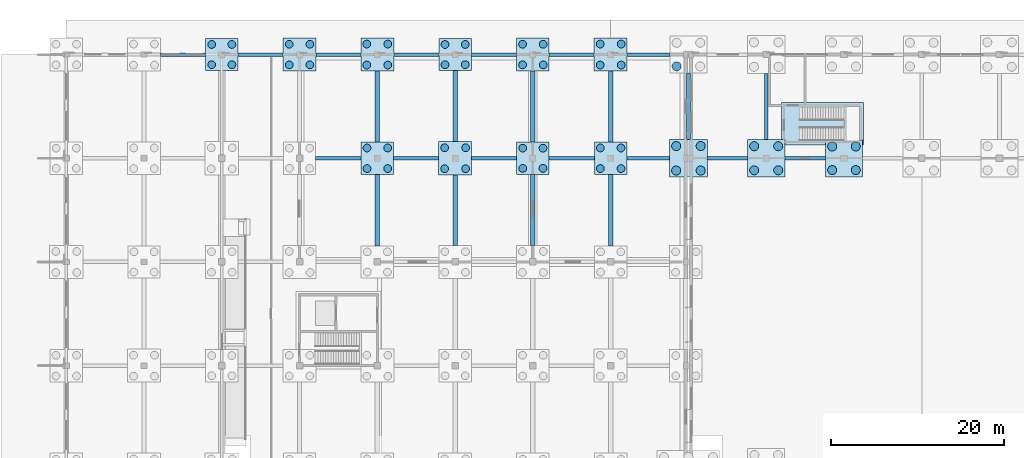
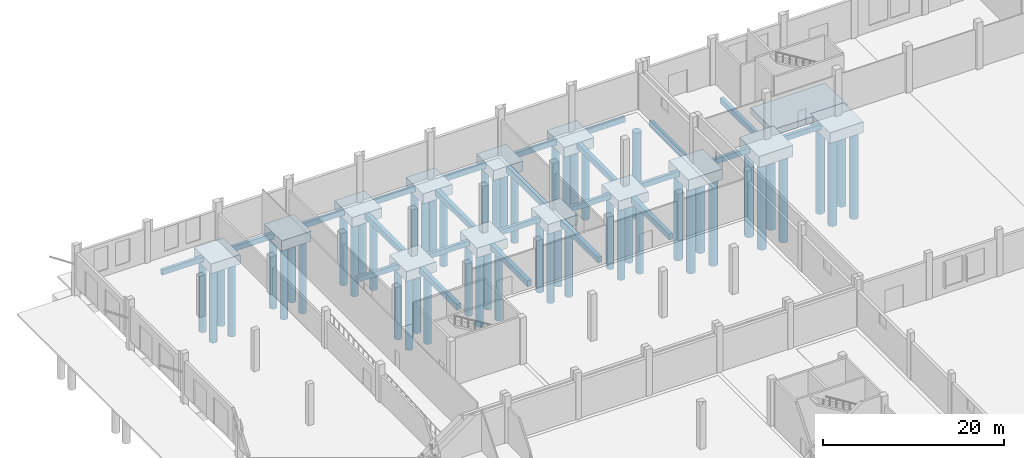
# One storey, part 21 of 99: 53 piles, 38 footings.
"""IFC4 building model written with IfcOpenShell, lengths in metres."""

from ifc_helpers import new_model, si_unit, direction, frame, origin, origin_2d, place, context, subcontext, project, spatial, polyline, rectangle, circle, outline, extrude, material, layer, layer_set, material_profile, profile_set, type_object, element, save


model = new_model("IFC4")

# Units and contexts
model_context = context("Model", 3, precision=1e-05, world=origin(), true_north=direction((0.0, 1.0)))
body_context = subcontext(model_context, "Body", "Model", "MODEL_VIEW")
ifc_project = project(units=[si_unit("LENGTHUNIT", "METRE"), si_unit("AREAUNIT", "SQUARE_METRE"), si_unit("VOLUMEUNIT", "CUBIC_METRE"), si_unit("PLANEANGLEUNIT", "RADIAN"), si_unit("MASSUNIT", "GRAM", prefix="KILO")], contexts=[model_context])

# Site, building, storey
site_placement = place(None, origin())
site = spatial("IfcSite", under=ifc_project, at=site_placement, CompositionType="ELEMENT")
building_placement = place(site_placement, origin())
building = spatial("IfcBuilding", under=site, at=building_placement, Name="Zacnel Wholesale Market", CompositionType="ELEMENT")
storey_placement = place(building_placement, origin())
storey = spatial("IfcBuildingStorey", under=building, at=storey_placement, Name="L01", CompositionType="ELEMENT", Elevation=0.0)

# Footings
ifc_material_1 = material(Name="Concrete C35/45", Category="concrete")
ifc_material_profile_1 = material_profile(ifc_material_1, rectangle(XDim=0.39990234375, YDim=0.699951171875, at=origin_2d()), Name="CT 400x700")
ifc_profile_set_1 = profile_set([ifc_material_profile_1], Name="Concrete C35/45")
footing_type_1 = type_object("IfcFootingType", Name="FTG-CT400X700", PredefinedType="FOOTING_BEAM", material=ifc_profile_set_1)
footing_1_placement = place(storey_placement, frame((28.8701171875, 132.0, -0.85009765625), z_axis=(1.0, 0.0, 0.0), x_axis=(0.0, 1.0, 0.0)))
element("IfcFooting", 1, at=footing_1_placement, inside=storey, type_object=footing_type_1, Name="Ground tie beam CT-X-0475", PredefinedType="FOOTING_BEAM", context=body_context, shape_type="SweptSolid", body=[
    extrude(rectangle(XDim=0.39990234375, YDim=0.699951171875, at=origin_2d()), origin(), (0.0, 0.0, 1.0), 5.239990234375),
])
footing_2_placement = place(storey_placement, frame((37.889892578125, 132.0, -0.85009765625), z_axis=(1.0, 0.0, 0.0), x_axis=(0.0, 1.0, 0.0)))
element("IfcFooting", 2, at=footing_2_placement, inside=storey, type_object=footing_type_1, Name="Ground tie beam CT-X-0476", PredefinedType="FOOTING_BEAM", context=body_context, shape_type="SweptSolid", body=[
    extrude(rectangle(XDim=0.39990234375, YDim=0.699951171875, at=origin_2d()), origin(), (0.0, 0.0, 1.0), 5.195068359375),
])
footing_3_placement = place(storey_placement, frame((46.9150390625, 132.0, -0.85009765625), z_axis=(1.0, 0.0, 0.0), x_axis=(0.0, 1.0, 0.0)))
element("IfcFooting", 3, at=footing_3_placement, inside=storey, type_object=footing_type_1, Name="Ground tie beam CT-X-0477", PredefinedType="FOOTING_BEAM", context=body_context, shape_type="SweptSolid", body=[
    extrude(rectangle(XDim=0.39990234375, YDim=0.699951171875, at=origin_2d()), origin(), (0.0, 0.0, 1.0), 5.21484375),
])
footing_4_placement = place(storey_placement, frame((55.8701171875, 132.0, -0.85009765625), z_axis=(1.0, 0.0, 0.0), x_axis=(0.0, 1.0, 0.0)))
element("IfcFooting", 4, at=footing_4_placement, inside=storey, type_object=footing_type_1, Name="Ground tie beam CT-X-0478", PredefinedType="FOOTING_BEAM", context=body_context, shape_type="SweptSolid", body=[
    extrude(rectangle(XDim=0.39990234375, YDim=0.699951171875, at=origin_2d()), origin(), (0.0, 0.0, 1.0), 5.239990234375),
])
footing_5_placement = place(storey_placement, frame((64.889892578125, 132.0, -0.85009765625), z_axis=(1.0, 0.0, 0.0), x_axis=(0.0, 1.0, 0.0)))
element("IfcFooting", 5, at=footing_5_placement, inside=storey, type_object=footing_type_1, Name="Ground tie beam CT-X-0479", PredefinedType="FOOTING_BEAM", context=body_context, shape_type="SweptSolid", body=[
    extrude(rectangle(XDim=0.39990234375, YDim=0.699951171875, at=origin_2d()), origin(), (0.0, 0.0, 1.0), 4.920166015625),
])
footing_6_placement = place(storey_placement, frame((74.18994140625, 132.0, -0.85009765625), z_axis=(1.0, 0.0, 0.0), x_axis=(0.0, 1.0, 0.0)))
element("IfcFooting", 6, at=footing_6_placement, inside=storey, type_object=footing_type_1, Name="Ground tie beam CT-X-0480", PredefinedType="FOOTING_BEAM", context=body_context, shape_type="SweptSolid", body=[
    extrude(rectangle(XDim=0.39990234375, YDim=0.699951171875, at=origin_2d()), origin(), (0.0, 0.0, 1.0), 4.64501953125),
])
footing_7_placement = place(storey_placement, frame((83.1650390625, 132.0, -0.85009765625), z_axis=(1.0, 0.0, 0.0), x_axis=(0.0, 1.0, 0.0)))
element("IfcFooting", 7, at=footing_7_placement, inside=storey, type_object=footing_type_1, Name="Ground tie beam CT-X-0481", PredefinedType="FOOTING_BEAM", context=body_context, shape_type="SweptSolid", body=[
    extrude(rectangle(XDim=0.39990234375, YDim=0.699951171875, at=origin_2d()), origin(), (0.0, 0.0, 1.0), 4.695068359375),
])
footing_8_placement = place(storey_placement, frame((10.9150390625, 144.0, -0.85009765625), z_axis=(1.0, 0.0, 0.0), x_axis=(0.0, 1.0, 0.0)))
element("IfcFooting", 8, at=footing_8_placement, inside=storey, type_object=footing_type_1, Name="Ground tie beam CT-X-0494", PredefinedType="FOOTING_BEAM", context=body_context, shape_type="SweptSolid", body=[
    extrude(rectangle(XDim=0.39990234375, YDim=0.699951171875, at=origin_2d()), origin(), (0.0, 0.0, 1.0), 5.21484375),
])
footing_9_placement = place(storey_placement, frame((19.8701171875, 144.0, -0.85009765625), z_axis=(1.0, 0.0, 0.0), x_axis=(0.0, 1.0, 0.0)))
element("IfcFooting", 9, at=footing_9_placement, inside=storey, type_object=footing_type_1, Name="Ground tie beam CT-X-0495", PredefinedType="FOOTING_BEAM", context=body_context, shape_type="SweptSolid", body=[
    extrude(rectangle(XDim=0.39990234375, YDim=0.699951171875, at=origin_2d()), origin(), (0.0, 0.0, 1.0), 5.239990234375),
])
footing_10_placement = place(storey_placement, frame((28.889892578125, 144.0, -0.85009765625), z_axis=(1.0, 0.0, 0.0), x_axis=(0.0, 1.0, 0.0)))
element("IfcFooting", 10, at=footing_10_placement, inside=storey, type_object=footing_type_1, Name="Ground tie beam CT-X-0496", PredefinedType="FOOTING_BEAM", context=body_context, shape_type="SweptSolid", body=[
    extrude(rectangle(XDim=0.39990234375, YDim=0.699951171875, at=origin_2d()), origin(), (0.0, 0.0, 1.0), 5.195068359375),
])
footing_11_placement = place(storey_placement, frame((37.9150390625, 144.0, -0.85009765625), z_axis=(1.0, 0.0, 0.0), x_axis=(0.0, 1.0, 0.0)))
element("IfcFooting", 11, at=footing_11_placement, inside=storey, type_object=footing_type_1, Name="Ground tie beam CT-X-0497", PredefinedType="FOOTING_BEAM", context=body_context, shape_type="SweptSolid", body=[
    extrude(rectangle(XDim=0.39990234375, YDim=0.699951171875, at=origin_2d()), origin(), (0.0, 0.0, 1.0), 5.21484375),
])
footing_12_placement = place(storey_placement, frame((46.8701171875, 144.0, -0.85009765625), z_axis=(1.0, 0.0, 0.0), x_axis=(0.0, 1.0, 0.0)))
element("IfcFooting", 12, at=footing_12_placement, inside=storey, type_object=footing_type_1, Name="Ground tie beam CT-X-0498", PredefinedType="FOOTING_BEAM", context=body_context, shape_type="SweptSolid", body=[
    extrude(rectangle(XDim=0.39990234375, YDim=0.699951171875, at=origin_2d()), origin(), (0.0, 0.0, 1.0), 5.239990234375),
])
footing_13_placement = place(storey_placement, frame((55.889892578125, 144.0, -0.85009765625), z_axis=(1.0, 0.0, 0.0), x_axis=(0.0, 1.0, 0.0)))
element("IfcFooting", 13, at=footing_13_placement, inside=storey, type_object=footing_type_1, Name="Ground tie beam CT-X-0499", PredefinedType="FOOTING_BEAM", context=body_context, shape_type="SweptSolid", body=[
    extrude(rectangle(XDim=0.39990234375, YDim=0.699951171875, at=origin_2d()), origin(), (0.0, 0.0, 1.0), 5.195068359375),
])
footing_14_placement = place(storey_placement, frame((64.9150390625, 144.0, -0.85009765625), z_axis=(1.0, 0.0, 0.0), x_axis=(0.0, 1.0, 0.0)))
element("IfcFooting", 14, at=footing_14_placement, inside=storey, type_object=footing_type_1, Name="Ground tie beam CT-X-0500", PredefinedType="FOOTING_BEAM", context=body_context, shape_type="SweptSolid", body=[
    extrude(rectangle(XDim=0.39990234375, YDim=0.699951171875, at=origin_2d()), origin(), (0.0, 0.0, 1.0), 4.945068359375),
])
ifc_material_2 = material(Name="Concrete C35/45", Category="concrete")
ifc_material_profile_2 = material_profile(ifc_material_2, rectangle(XDim=0.449951171875, YDim=0.75, at=origin_2d()), Name="CT 450x750")
ifc_profile_set_2 = profile_set([ifc_material_profile_2], Name="Concrete C35/45")
footing_type_2 = type_object("IfcFootingType", Name="FTG-CT450X750", PredefinedType="FOOTING_BEAM", material=ifc_profile_set_2)
footing_15_placement = place(storey_placement, frame((72.0, 134.18994140625, -0.875), z_axis=(0.0, 1.0, 0.0), x_axis=(-1.0, 0.0, 0.0)))
element("IfcFooting", 15, at=footing_15_placement, inside=storey, type_object=footing_type_2, Name="Ground tie beam CT-Y-0096", PredefinedType="FOOTING_BEAM", context=body_context, shape_type="SweptSolid", body=[
    extrude(rectangle(XDim=0.449951171875, YDim=0.75, at=origin_2d()), origin(), (0.0, 0.0, 1.0), 7.670166015625),
])
footing_16_placement = place(storey_placement, frame((81.0, 134.1650390625, -0.875), z_axis=(0.0, 1.0, 0.0), x_axis=(-1.0, 0.0, 0.0)))
element("IfcFooting", 16, at=footing_16_placement, inside=storey, type_object=footing_type_2, Name="Ground tie beam CT-Y-0105", PredefinedType="FOOTING_BEAM", context=body_context, shape_type="SweptSolid", body=[
    extrude(rectangle(XDim=0.449951171875, YDim=0.75, at=origin_2d()), origin(), (0.0, 0.0, 1.0), 7.64501953125),
])
ifc_material_3 = material(Name="Concrete C35/45", Category="concrete")
ifc_material_profile_3 = material_profile(ifc_material_3, rectangle(XDim=0.5, YDim=0.800048828125, at=origin_2d()), Name="CT 500x800")
ifc_profile_set_3 = profile_set([ifc_material_profile_3], Name="Concrete C35/45")
footing_type_3 = type_object("IfcFootingType", Name="FTG-CT500X800", PredefinedType="FOOTING_BEAM", material=ifc_profile_set_3)
footing_17_placement = place(storey_placement, frame((36.0, 121.8701171875, -0.89990234375), z_axis=(0.0, 1.0, 0.0), x_axis=(-1.0, 0.0, 0.0)))
element("IfcFooting", 17, at=footing_17_placement, inside=storey, type_object=footing_type_3, Name="Ground tie beam CT-Y-0043", PredefinedType="FOOTING_BEAM", context=body_context, shape_type="SweptSolid", body=[
    extrude(rectangle(XDim=0.5, YDim=0.800048828125, at=origin_2d()), origin(), (0.0, 0.0, 1.0), 8.239990234375),
])
for number, where, z_axis, x_axis, name in (
    (18, (36.0, 133.889892578125, -0.89990234375), (0.0, 1.0, 0.0), (-1.0, 0.0, 0.0), "Ground tie beam CT-Y-0044"),
    (19, (45.0, 121.889892578125, -0.89990234375), (0.0, 1.0, 0.0), (-1.0, 0.0, 0.0), "Ground tie beam CT-Y-0055"),
):
    element("IfcFooting", number, at=place(storey_placement, frame(where, z_axis=z_axis, x_axis=x_axis)), inside=storey, type_object=footing_type_3, Name=name, PredefinedType="FOOTING_BEAM", context=body_context, shape_type="SweptSolid", body=[
        extrude(rectangle(XDim=0.5, YDim=0.800048828125, at=origin_2d()), origin(), (0.0, 0.0, 1.0), 8.195068359375),
    ])
for number, where, z_axis, x_axis, name in (
    (20, (45.0, 133.9150390625, -0.89990234375), (0.0, 1.0, 0.0), (-1.0, 0.0, 0.0), "Ground tie beam CT-Y-0056"),
    (21, (54.0, 121.9150390625, -0.89990234375), (0.0, 1.0, 0.0), (-1.0, 0.0, 0.0), "Ground tie beam CT-Y-0070"),
):
    element("IfcFooting", number, at=place(storey_placement, frame(where, z_axis=z_axis, x_axis=x_axis)), inside=storey, type_object=footing_type_3, Name=name, PredefinedType="FOOTING_BEAM", context=body_context, shape_type="SweptSolid", body=[
        extrude(rectangle(XDim=0.5, YDim=0.800048828125, at=origin_2d()), origin(), (0.0, 0.0, 1.0), 8.21484375),
    ])
for number, where, z_axis, x_axis, name in (
    (22, (54.0, 133.8701171875, -0.89990234375), (0.0, 1.0, 0.0), (-1.0, 0.0, 0.0), "Ground tie beam CT-Y-0071"),
    (23, (63.0, 121.8701171875, -0.89990234375), (0.0, 1.0, 0.0), (-1.0, 0.0, 0.0), "Ground tie beam CT-Y-0084"),
):
    element("IfcFooting", number, at=place(storey_placement, frame(where, z_axis=z_axis, x_axis=x_axis)), inside=storey, type_object=footing_type_3, Name=name, PredefinedType="FOOTING_BEAM", context=body_context, shape_type="SweptSolid", body=[
        extrude(rectangle(XDim=0.5, YDim=0.800048828125, at=origin_2d()), origin(), (0.0, 0.0, 1.0), 8.239990234375),
    ])
footing_18_placement = place(storey_placement, frame((63.0, 133.889892578125, -0.89990234375), z_axis=(0.0, 1.0, 0.0), x_axis=(-1.0, 0.0, 0.0)))
element("IfcFooting", 24, at=footing_18_placement, inside=storey, type_object=footing_type_3, Name="Ground tie beam CT-Y-0085", PredefinedType="FOOTING_BEAM", context=body_context, shape_type="SweptSolid", body=[
    extrude(rectangle(XDim=0.5, YDim=0.800048828125, at=origin_2d()), origin(), (0.0, 0.0, 1.0), 8.195068359375),
])
ifc_material_4 = material(Name="Concrete C35/45", Category="concrete")
ifc_layer_1 = layer(ifc_material_4, 1.300048828125)
ifc_layer_set_1 = layer_set([ifc_layer_1], Name="Concrete C35/45")
footing_type_4 = type_object("IfcFootingType", Name="FTG-PC-3740X3740X1300", PredefinedType="PILE_CAP", material=ifc_layer_set_1)
for number, where, z_axis, x_axis, name in (
    (25, (18.0, 144.0, -1.7998046875), (0.0, 0.0, 1.0), (1.0, 0.0, 0.0), "Pile cap PC-03 (STR-PC-039)"),
    (26, (54.0, 132.0, -1.7998046875), (0.0, 0.0, 1.0), (1.0, 0.0, 0.0), "Pile cap PC-03 (STR-PC-093)"),
):
    element("IfcFooting", number, at=place(storey_placement, frame(where, z_axis=z_axis, x_axis=x_axis)), inside=storey, type_object=footing_type_4, Name=name, PredefinedType="PILE_CAP", context=body_context, shape_type="SweptSolid", body=[
        extrude(rectangle(XDim=3.739990234375, YDim=3.739990234375, at=origin_2d()), origin(), (0.0, 0.0, 1.0), 1.300048828125),
    ])
ifc_material_5 = material(Name="Concrete C35/45", Category="concrete")
ifc_layer_2 = layer(ifc_material_5, 1.35009765625)
ifc_layer_set_2 = layer_set([ifc_layer_2], Name="Concrete C35/45")
footing_type_5 = type_object("IfcFootingType", Name="FTG-PC-3740X3740X1350", PredefinedType="PILE_CAP", material=ifc_layer_set_2)
footing_19_placement = place(storey_placement, frame((45.0, 144.0, -1.85009765625), z_axis=(0.0, 0.0, 1.0), x_axis=(1.0, 0.0, 0.0)))
element("IfcFooting", 27, at=footing_19_placement, inside=storey, type_object=footing_type_5, Name="Pile cap PC-06 (STR-PC-078)", PredefinedType="PILE_CAP", context=body_context, shape_type="SweptSolid", body=[
    extrude(rectangle(XDim=3.739990234375, YDim=3.739990234375, at=origin_2d()), origin(), (0.0, 0.0, 1.0), 1.35009765625),
])
ifc_material_6 = material(Name="Concrete C35/45", Category="concrete")
ifc_layer_3 = layer(ifc_material_6, 1.300048828125)
ifc_layer_set_3 = layer_set([ifc_layer_3], Name="Concrete C35/45")
footing_type_6 = type_object("IfcFootingType", Name="FTG-PC-3780X3780X1300", PredefinedType="PILE_CAP", material=ifc_layer_set_3)
footing_20_placement = place(storey_placement, frame((63.0, 132.0, -1.7998046875), z_axis=(0.0, 0.0, 1.0), x_axis=(1.0, 0.0, 0.0)))
element("IfcFooting", 28, at=footing_20_placement, inside=storey, type_object=footing_type_6, Name="Pile cap PC-01 (STR-PC-109)", PredefinedType="PILE_CAP", context=body_context, shape_type="SweptSolid", body=[
    extrude(rectangle(XDim=3.780029296875, YDim=3.780029296875, at=origin_2d()), origin(), (0.0, 0.0, 1.0), 1.300048828125),
])
ifc_material_7 = material(Name="Concrete C35/45", Category="concrete")
ifc_layer_4 = layer(ifc_material_7, 1.35009765625)
ifc_layer_set_4 = layer_set([ifc_layer_4], Name="Concrete C35/45")
footing_type_7 = type_object("IfcFootingType", Name="FTG-PC-3780X3780X1350", PredefinedType="PILE_CAP", material=ifc_layer_set_4)
for number, where, z_axis, x_axis, name in (
    (29, (27.0, 144.0, -1.85009765625), (0.0, 0.0, 1.0), (1.0, 0.0, 0.0), "Pile cap PC-04 (STR-PC-052)"),
    (30, (36.0, 132.0, -1.85009765625), (0.0, 0.0, 1.0), (1.0, 0.0, 0.0), "Pile cap PC-04 (STR-PC-064)"),
    (31, (54.0, 144.0, -1.85009765625), (0.0, 0.0, 1.0), (1.0, 0.0, 0.0), "Pile cap PC-04 (STR-PC-094)"),
):
    element("IfcFooting", number, at=place(storey_placement, frame(where, z_axis=z_axis, x_axis=x_axis)), inside=storey, type_object=footing_type_7, Name=name, PredefinedType="PILE_CAP", context=body_context, shape_type="SweptSolid", body=[
        extrude(rectangle(XDim=3.780029296875, YDim=3.780029296875, at=origin_2d()), origin(), (0.0, 0.0, 1.0), 1.35009765625),
    ])
ifc_material_8 = material(Name="Concrete C35/45", Category="concrete")
ifc_layer_5 = layer(ifc_material_8, 1.300048828125)
ifc_layer_set_5 = layer_set([ifc_layer_5], Name="Concrete C35/45")
footing_type_8 = type_object("IfcFootingType", Name="FTG-PC-3830X3830X1300", PredefinedType="PILE_CAP", material=ifc_layer_set_5)
for number, where, z_axis, x_axis, name in (
    (32, (36.0, 144.0, -1.7998046875), (0.0, 0.0, 1.0), (1.0, 0.0, 0.0), "Pile cap PC-05 (STR-PC-065)"),
    (33, (45.0, 132.0, -1.7998046875), (0.0, 0.0, 1.0), (1.0, 0.0, 0.0), "Pile cap PC-05 (STR-PC-077)"),
):
    element("IfcFooting", number, at=place(storey_placement, frame(where, z_axis=z_axis, x_axis=x_axis)), inside=storey, type_object=footing_type_8, Name=name, PredefinedType="PILE_CAP", context=body_context, shape_type="SweptSolid", body=[
        extrude(rectangle(XDim=3.830078125, YDim=3.830078125, at=origin_2d()), origin(), (0.0, 0.0, 1.0), 1.300048828125),
    ])
ifc_material_9 = material(Name="Concrete C35/45", Category="concrete")
ifc_layer_6 = layer(ifc_material_9, 1.35009765625)
ifc_layer_set_6 = layer_set([ifc_layer_6], Name="Concrete C35/45")
footing_type_9 = type_object("IfcFootingType", Name="FTG-PC-3830X3830X1350", PredefinedType="PILE_CAP", material=ifc_layer_set_6)
footing_21_placement = place(storey_placement, frame((63.0, 144.0, -1.85009765625), z_axis=(0.0, 0.0, 1.0), x_axis=(1.0, 0.0, 0.0)))
element("IfcFooting", 34, at=footing_21_placement, inside=storey, type_object=footing_type_9, Name="Pile cap PC-02 (STR-PC-110)", PredefinedType="PILE_CAP", context=body_context, shape_type="SweptSolid", body=[
    extrude(rectangle(XDim=3.830078125, YDim=3.830078125, at=origin_2d()), origin(), (0.0, 0.0, 1.0), 1.35009765625),
])
ifc_material_10 = material(Name="Concrete C35/45", Category="concrete")
ifc_layer_7 = layer(ifc_material_10, 1.449951171875)
ifc_layer_set_7 = layer_set([ifc_layer_7], Name="Concrete C35/45")
footing_type_10 = type_object("IfcFootingType", Name="FTG-PC-4280X4280X1450", PredefinedType="PILE_CAP", material=ifc_layer_set_7)
footing_22_placement = place(storey_placement, frame((90.0, 132.0, -1.9501953125), z_axis=(0.0, 0.0, 1.0), x_axis=(1.0, 0.0, 0.0)))
element("IfcFooting", 35, at=footing_22_placement, inside=storey, type_object=footing_type_10, Name="Pile cap PC-16 (STR-PC-147)", PredefinedType="PILE_CAP", context=body_context, shape_type="SweptSolid", body=[
    extrude(rectangle(XDim=4.280029296875, YDim=4.280029296875, at=origin_2d()), origin(), (0.0, 0.0, 1.0), 1.449951171875),
])
ifc_material_11 = material(Name="Concrete C35/45", Category="concrete")
ifc_layer_8 = layer(ifc_material_11, 1.5)
ifc_layer_set_8 = layer_set([ifc_layer_8], Name="Concrete C35/45")
footing_type_11 = type_object("IfcFootingType", Name="FTG-PC-4330X4330X1500", PredefinedType="PILE_CAP", material=ifc_layer_set_8)
footing_23_placement = place(storey_placement, frame((81.0, 132.0, -2.0), z_axis=(0.0, 0.0, 1.0), x_axis=(1.0, 0.0, 0.0)))
element("IfcFooting", 36, at=footing_23_placement, inside=storey, type_object=footing_type_11, Name="Pile cap PC-17 (STR-PC-136)", PredefinedType="PILE_CAP", context=body_context, shape_type="SweptSolid", body=[
    extrude(rectangle(XDim=4.330078125, YDim=4.330078125, at=origin_2d()), origin(), (0.0, 0.0, 1.0), 1.5),
])
ifc_material_12 = material(Name="Concrete C35/45", Category="concrete")
ifc_layer_9 = layer(ifc_material_12, 1.449951171875)
ifc_layer_set_9 = layer_set([ifc_layer_9], Name="Concrete C35/45")
footing_type_12 = type_object("IfcFootingType", Name="FTG-PC-4380X4380X1450", PredefinedType="PILE_CAP", material=ifc_layer_set_9)
footing_24_placement = place(storey_placement, frame((72.0, 132.0, -1.9501953125), z_axis=(0.0, 0.0, 1.0), x_axis=(1.0, 0.0, 0.0)))
element("IfcFooting", 37, at=footing_24_placement, inside=storey, type_object=footing_type_12, Name="Pile cap PC-14 (STR-PC-125)", PredefinedType="PILE_CAP", context=body_context, shape_type="SweptSolid", body=[
    extrude(rectangle(XDim=4.3798828125, YDim=4.3798828125, at=origin_2d()), origin(), (0.0, 0.0, 1.0), 1.449951171875),
])
ifc_material_13 = material(Name="Concrete C35/45", Category="concrete")
ifc_layer_10 = layer(ifc_material_13, 0.85009765625)
ifc_layer_set_10 = layer_set([ifc_layer_10], Name="Concrete C35/45")
footing_type_13 = type_object("IfcFootingType", Name="FTG-STAIR-MAT-7800X6800", PredefinedType="PAD_FOOTING", material=ifc_layer_set_10)
footing_25_placement = place(storey_placement, frame((0.0, 0.0, -1.35009765625)))
element("IfcFooting", 38, at=footing_25_placement, inside=storey, type_object=footing_type_13, Name="Stair ST-20 mat footing 015", PredefinedType="PAD_FOOTING", context=body_context, shape_type="SweptSolid", body=[
    extrude(outline(polyline([(92.25, 138.449951171875), (92.25, 133.550048828125), (92.14208984375, 133.550048828125), (92.14208984375, 134.139892578125), (92.14208984375, 134.14013671875), (92.14208984375, 134.140380859375), (92.141845703125, 134.140625), (92.141845703125, 134.140869140625), (92.141845703125, 134.140869140625), (92.1416015625, 134.14111328125), (92.1416015625, 134.141357421875), (92.141357421875, 134.141357421875), (92.141357421875, 134.1416015625), (92.14111328125, 134.1416015625), (92.140869140625, 134.141845703125), (92.140869140625, 134.141845703125), (92.140625, 134.141845703125), (92.140380859375, 134.14208984375), (92.14013671875, 134.14208984375), (92.139892578125, 134.14208984375), (87.860107421875, 134.14208984375), (87.85986328125, 134.14208984375), (87.859619140625, 134.14208984375), (87.859375, 134.141845703125), (87.859130859375, 134.141845703125), (87.859130859375, 134.141845703125), (87.85888671875, 134.1416015625), (87.858642578125, 134.1416015625), (87.858642578125, 134.141357421875), (87.8583984375, 134.141357421875), (87.8583984375, 134.14111328125), (87.858154296875, 134.140869140625), (87.858154296875, 134.140869140625), (87.858154296875, 134.140625), (87.85791015625, 134.140380859375), (87.85791015625, 134.14013671875), (87.85791015625, 134.139892578125), (87.85791015625, 133.550048828125), (83.1669921875, 133.550048828125), (83.1669921875, 134.1650390625), (83.1669921875, 134.165283203125), (83.1669921875, 134.165283203125), (83.1669921875, 134.16552734375), (83.166748046875, 134.165771484375), (83.166748046875, 134.166015625), (83.166748046875, 134.166015625), (83.16650390625, 134.166259765625), (83.16650390625, 134.16650390625), (83.166259765625, 134.16650390625), (83.166015625, 134.166748046875), (83.166015625, 134.166748046875), (83.165771484375, 134.166748046875), (83.16552734375, 134.1669921875), (83.165283203125, 134.1669921875), (83.165283203125, 134.1669921875), (83.1650390625, 134.1669921875), (82.75, 134.1669921875), (82.75, 138.449951171875), (92.25, 138.449951171875)])), origin(), (0.0, 0.0, 1.0), 0.85009765625),
])

# Piles
ifc_material_14 = material(Name="Concrete C35/45", Category="concrete")
ifc_material_profile_4 = material_profile(ifc_material_14, circle(Radius=0.52490234375, at=origin_2d()), Name="BORED PILE D1050")
ifc_profile_set_4 = profile_set([ifc_material_profile_4], Name="Concrete C35/45")
pile_type_1 = type_object("IfcPileType", Name="PILE-BORED-1050", PredefinedType="BORED", material=ifc_profile_set_4)
for number, where, z_axis, x_axis, name in (
    (39, (70.58251953125, 130.58251953125, -1.85009765625), (0.0, 0.0, -1.0), (1.0, 0.0, 0.0), "Bored pile STR-PILE-125-01"),
    (40, (70.58251953125, 133.41748046875, -1.85009765625), (0.0, 0.0, -1.0), (1.0, 0.0, 0.0), "Bored pile STR-PILE-125-02"),
    (41, (73.41748046875, 130.58251953125, -1.85009765625), (0.0, 0.0, -1.0), (1.0, 0.0, 0.0), "Bored pile STR-PILE-125-03"),
    (42, (73.41748046875, 133.41748046875, -1.85009765625), (0.0, 0.0, -1.0), (1.0, 0.0, 0.0), "Bored pile STR-PILE-125-04"),
):
    element("IfcPile", number, at=place(storey_placement, frame(where, z_axis=z_axis, x_axis=x_axis)), inside=storey, type_object=pile_type_1, Name=name, PredefinedType="BORED", context=body_context, shape_type="SweptSolid", body=[
        extrude(circle(Radius=0.52490234375, at=origin_2d()), origin(), (0.0, 0.0, 1.0), 11.64990234375),
    ])
for number, where, z_axis, x_axis, name in (
    (43, (70.635009765625, 142.635009765625, -1.89990234375), (0.0, 0.0, -1.0), (1.0, 0.0, 0.0), "Bored pile STR-PILE-126-01"),
    (44, (79.6083984375, 130.6083984375, -1.89990234375), (0.0, 0.0, -1.0), (1.0, 0.0, 0.0), "Bored pile STR-PILE-136-01"),
    (45, (79.6083984375, 133.3916015625, -1.89990234375), (0.0, 0.0, -1.0), (1.0, 0.0, 0.0), "Bored pile STR-PILE-136-02"),
    (46, (82.3916015625, 130.6083984375, -1.89990234375), (0.0, 0.0, -1.0), (1.0, 0.0, 0.0), "Bored pile STR-PILE-136-03"),
    (47, (82.3916015625, 133.3916015625, -1.89990234375), (0.0, 0.0, -1.0), (1.0, 0.0, 0.0), "Bored pile STR-PILE-136-04"),
):
    element("IfcPile", number, at=place(storey_placement, frame(where, z_axis=z_axis, x_axis=x_axis)), inside=storey, type_object=pile_type_1, Name=name, PredefinedType="BORED", context=body_context, shape_type="SweptSolid", body=[
        extrude(circle(Radius=0.52490234375, at=origin_2d()), origin(), (0.0, 0.0, 1.0), 11.60009765625),
    ])
for number, where, z_axis, x_axis, name in (
    (48, (88.635009765625, 130.635009765625, -1.85009765625), (0.0, 0.0, -1.0), (1.0, 0.0, 0.0), "Bored pile STR-PILE-147-01"),
    (49, (88.635009765625, 133.364990234375, -1.85009765625), (0.0, 0.0, -1.0), (1.0, 0.0, 0.0), "Bored pile STR-PILE-147-02"),
    (50, (91.364990234375, 130.635009765625, -1.85009765625), (0.0, 0.0, -1.0), (1.0, 0.0, 0.0), "Bored pile STR-PILE-147-03"),
    (51, (91.364990234375, 133.364990234375, -1.85009765625), (0.0, 0.0, -1.0), (1.0, 0.0, 0.0), "Bored pile STR-PILE-147-04"),
):
    element("IfcPile", number, at=place(storey_placement, frame(where, z_axis=z_axis, x_axis=x_axis)), inside=storey, type_object=pile_type_1, Name=name, PredefinedType="BORED", context=body_context, shape_type="SweptSolid", body=[
        extrude(circle(Radius=0.52490234375, at=origin_2d()), origin(), (0.0, 0.0, 1.0), 11.64990234375),
    ])
ifc_material_15 = material(Name="Concrete C35/45", Category="concrete")
ifc_material_profile_5 = material_profile(ifc_material_15, circle(Radius=0.449951171875, at=origin_2d()), Name="BORED PILE D900")
ifc_profile_set_5 = profile_set([ifc_material_profile_5], Name="Concrete C35/45")
pile_type_2 = type_object("IfcPileType", Name="PILE-BORED-900", PredefinedType="BORED", material=ifc_profile_set_5)
for number, where, z_axis, x_axis, name in (
    (52, (16.830078125, 142.830078125, -1.699951171875), (0.0, 0.0, -1.0), (1.0, 0.0, 0.0), "Bored pile STR-PILE-039-01"),
    (53, (16.830078125, 145.169921875, -1.699951171875), (0.0, 0.0, -1.0), (1.0, 0.0, 0.0), "Bored pile STR-PILE-039-02"),
    (54, (19.169921875, 142.830078125, -1.699951171875), (0.0, 0.0, -1.0), (1.0, 0.0, 0.0), "Bored pile STR-PILE-039-03"),
    (55, (19.169921875, 145.169921875, -1.699951171875), (0.0, 0.0, -1.0), (1.0, 0.0, 0.0), "Bored pile STR-PILE-039-04"),
):
    element("IfcPile", number, at=place(storey_placement, frame(where, z_axis=z_axis, x_axis=x_axis)), inside=storey, type_object=pile_type_2, Name=name, PredefinedType="BORED", context=body_context, shape_type="SweptSolid", body=[
        extrude(circle(Radius=0.449951171875, at=origin_2d()), origin(), (0.0, 0.0, 1.0), 9.800048828125),
    ])
for number, where, z_axis, x_axis, name in (
    (56, (25.8076171875, 142.8076171875, -1.75), (0.0, 0.0, -1.0), (1.0, 0.0, 0.0), "Bored pile STR-PILE-052-01"),
    (57, (25.8076171875, 145.1923828125, -1.75), (0.0, 0.0, -1.0), (1.0, 0.0, 0.0), "Bored pile STR-PILE-052-02"),
    (58, (28.1923828125, 142.8076171875, -1.75), (0.0, 0.0, -1.0), (1.0, 0.0, 0.0), "Bored pile STR-PILE-052-03"),
    (59, (28.1923828125, 145.1923828125, -1.75), (0.0, 0.0, -1.0), (1.0, 0.0, 0.0), "Bored pile STR-PILE-052-04"),
    (60, (34.8076171875, 130.8076171875, -1.75), (0.0, 0.0, -1.0), (1.0, 0.0, 0.0), "Bored pile STR-PILE-064-01"),
    (61, (34.8076171875, 133.1923828125, -1.75), (0.0, 0.0, -1.0), (1.0, 0.0, 0.0), "Bored pile STR-PILE-064-02"),
    (62, (37.1923828125, 130.8076171875, -1.75), (0.0, 0.0, -1.0), (1.0, 0.0, 0.0), "Bored pile STR-PILE-064-03"),
    (63, (37.1923828125, 133.1923828125, -1.75), (0.0, 0.0, -1.0), (1.0, 0.0, 0.0), "Bored pile STR-PILE-064-04"),
):
    element("IfcPile", number, at=place(storey_placement, frame(where, z_axis=z_axis, x_axis=x_axis)), inside=storey, type_object=pile_type_2, Name=name, PredefinedType="BORED", context=body_context, shape_type="SweptSolid", body=[
        extrude(circle(Radius=0.449951171875, at=origin_2d()), origin(), (0.0, 0.0, 1.0), 9.75),
    ])
for number, where, z_axis, x_axis, name in (
    (64, (34.784912109375, 142.784912109375, -1.699951171875), (0.0, 0.0, -1.0), (1.0, 0.0, 0.0), "Bored pile STR-PILE-065-01"),
    (65, (34.784912109375, 145.215087890625, -1.699951171875), (0.0, 0.0, -1.0), (1.0, 0.0, 0.0), "Bored pile STR-PILE-065-02"),
    (66, (37.215087890625, 142.784912109375, -1.699951171875), (0.0, 0.0, -1.0), (1.0, 0.0, 0.0), "Bored pile STR-PILE-065-03"),
    (67, (37.215087890625, 145.215087890625, -1.699951171875), (0.0, 0.0, -1.0), (1.0, 0.0, 0.0), "Bored pile STR-PILE-065-04"),
    (68, (43.784912109375, 130.784912109375, -1.699951171875), (0.0, 0.0, -1.0), (1.0, 0.0, 0.0), "Bored pile STR-PILE-077-01"),
    (69, (43.784912109375, 133.215087890625, -1.699951171875), (0.0, 0.0, -1.0), (1.0, 0.0, 0.0), "Bored pile STR-PILE-077-02"),
    (70, (46.215087890625, 130.784912109375, -1.699951171875), (0.0, 0.0, -1.0), (1.0, 0.0, 0.0), "Bored pile STR-PILE-077-03"),
    (71, (46.215087890625, 133.215087890625, -1.699951171875), (0.0, 0.0, -1.0), (1.0, 0.0, 0.0), "Bored pile STR-PILE-077-04"),
):
    element("IfcPile", number, at=place(storey_placement, frame(where, z_axis=z_axis, x_axis=x_axis)), inside=storey, type_object=pile_type_2, Name=name, PredefinedType="BORED", context=body_context, shape_type="SweptSolid", body=[
        extrude(circle(Radius=0.449951171875, at=origin_2d()), origin(), (0.0, 0.0, 1.0), 9.800048828125),
    ])
for number, where, z_axis, x_axis, name in (
    (72, (43.830078125, 142.830078125, -1.75), (0.0, 0.0, -1.0), (1.0, 0.0, 0.0), "Bored pile STR-PILE-078-01"),
    (73, (43.830078125, 145.169921875, -1.75), (0.0, 0.0, -1.0), (1.0, 0.0, 0.0), "Bored pile STR-PILE-078-02"),
    (74, (46.169921875, 142.830078125, -1.75), (0.0, 0.0, -1.0), (1.0, 0.0, 0.0), "Bored pile STR-PILE-078-03"),
    (75, (46.169921875, 145.169921875, -1.75), (0.0, 0.0, -1.0), (1.0, 0.0, 0.0), "Bored pile STR-PILE-078-04"),
):
    element("IfcPile", number, at=place(storey_placement, frame(where, z_axis=z_axis, x_axis=x_axis)), inside=storey, type_object=pile_type_2, Name=name, PredefinedType="BORED", context=body_context, shape_type="SweptSolid", body=[
        extrude(circle(Radius=0.449951171875, at=origin_2d()), origin(), (0.0, 0.0, 1.0), 9.75),
    ])
for number, where, z_axis, x_axis, name in (
    (76, (52.830078125, 130.830078125, -1.699951171875), (0.0, 0.0, -1.0), (1.0, 0.0, 0.0), "Bored pile STR-PILE-093-01"),
    (77, (52.830078125, 133.169921875, -1.699951171875), (0.0, 0.0, -1.0), (1.0, 0.0, 0.0), "Bored pile STR-PILE-093-02"),
    (78, (55.169921875, 130.830078125, -1.699951171875), (0.0, 0.0, -1.0), (1.0, 0.0, 0.0), "Bored pile STR-PILE-093-03"),
    (79, (55.169921875, 133.169921875, -1.699951171875), (0.0, 0.0, -1.0), (1.0, 0.0, 0.0), "Bored pile STR-PILE-093-04"),
):
    element("IfcPile", number, at=place(storey_placement, frame(where, z_axis=z_axis, x_axis=x_axis)), inside=storey, type_object=pile_type_2, Name=name, PredefinedType="BORED", context=body_context, shape_type="SweptSolid", body=[
        extrude(circle(Radius=0.449951171875, at=origin_2d()), origin(), (0.0, 0.0, 1.0), 9.800048828125),
    ])
for number, where, z_axis, x_axis, name in (
    (80, (52.8076171875, 142.8076171875, -1.75), (0.0, 0.0, -1.0), (1.0, 0.0, 0.0), "Bored pile STR-PILE-094-01"),
    (81, (52.8076171875, 145.1923828125, -1.75), (0.0, 0.0, -1.0), (1.0, 0.0, 0.0), "Bored pile STR-PILE-094-02"),
    (82, (55.1923828125, 142.8076171875, -1.75), (0.0, 0.0, -1.0), (1.0, 0.0, 0.0), "Bored pile STR-PILE-094-03"),
    (83, (55.1923828125, 145.1923828125, -1.75), (0.0, 0.0, -1.0), (1.0, 0.0, 0.0), "Bored pile STR-PILE-094-04"),
):
    element("IfcPile", number, at=place(storey_placement, frame(where, z_axis=z_axis, x_axis=x_axis)), inside=storey, type_object=pile_type_2, Name=name, PredefinedType="BORED", context=body_context, shape_type="SweptSolid", body=[
        extrude(circle(Radius=0.449951171875, at=origin_2d()), origin(), (0.0, 0.0, 1.0), 9.75),
    ])
for number, where, z_axis, x_axis, name in (
    (84, (61.8076171875, 130.8076171875, -1.699951171875), (0.0, 0.0, -1.0), (1.0, 0.0, 0.0), "Bored pile STR-PILE-109-01"),
    (85, (61.8076171875, 133.1923828125, -1.699951171875), (0.0, 0.0, -1.0), (1.0, 0.0, 0.0), "Bored pile STR-PILE-109-02"),
    (86, (64.1923828125, 130.8076171875, -1.699951171875), (0.0, 0.0, -1.0), (1.0, 0.0, 0.0), "Bored pile STR-PILE-109-03"),
    (87, (64.1923828125, 133.1923828125, -1.699951171875), (0.0, 0.0, -1.0), (1.0, 0.0, 0.0), "Bored pile STR-PILE-109-04"),
):
    element("IfcPile", number, at=place(storey_placement, frame(where, z_axis=z_axis, x_axis=x_axis)), inside=storey, type_object=pile_type_2, Name=name, PredefinedType="BORED", context=body_context, shape_type="SweptSolid", body=[
        extrude(circle(Radius=0.449951171875, at=origin_2d()), origin(), (0.0, 0.0, 1.0), 9.800048828125),
    ])
for number, where, z_axis, x_axis, name in (
    (88, (61.784912109375, 142.784912109375, -1.75), (0.0, 0.0, -1.0), (1.0, 0.0, 0.0), "Bored pile STR-PILE-110-01"),
    (89, (61.784912109375, 145.215087890625, -1.75), (0.0, 0.0, -1.0), (1.0, 0.0, 0.0), "Bored pile STR-PILE-110-02"),
    (90, (64.215087890625, 142.784912109375, -1.75), (0.0, 0.0, -1.0), (1.0, 0.0, 0.0), "Bored pile STR-PILE-110-03"),
    (91, (64.215087890625, 145.215087890625, -1.75), (0.0, 0.0, -1.0), (1.0, 0.0, 0.0), "Bored pile STR-PILE-110-04"),
):
    element("IfcPile", number, at=place(storey_placement, frame(where, z_axis=z_axis, x_axis=x_axis)), inside=storey, type_object=pile_type_2, Name=name, PredefinedType="BORED", context=body_context, shape_type="SweptSolid", body=[
        extrude(circle(Radius=0.449951171875, at=origin_2d()), origin(), (0.0, 0.0, 1.0), 9.75),
    ])

save(model, "model.ifc")
